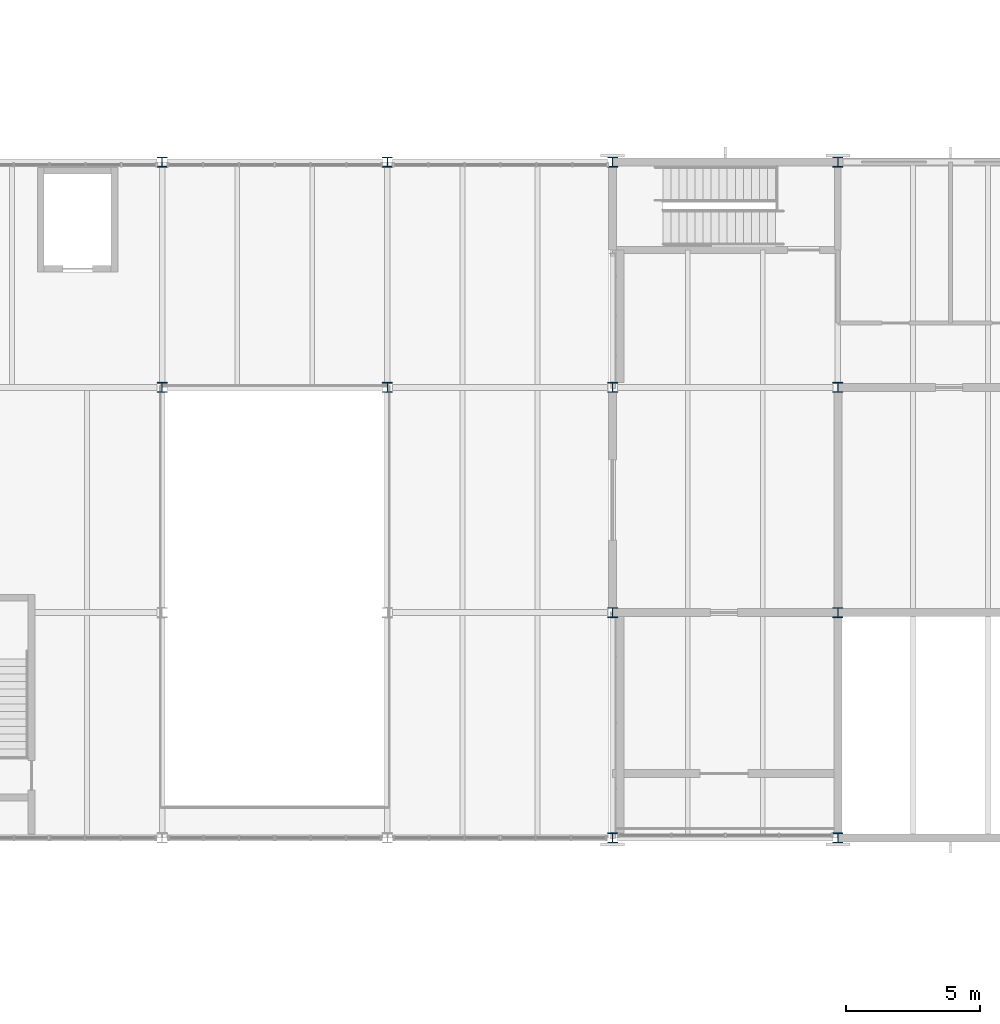
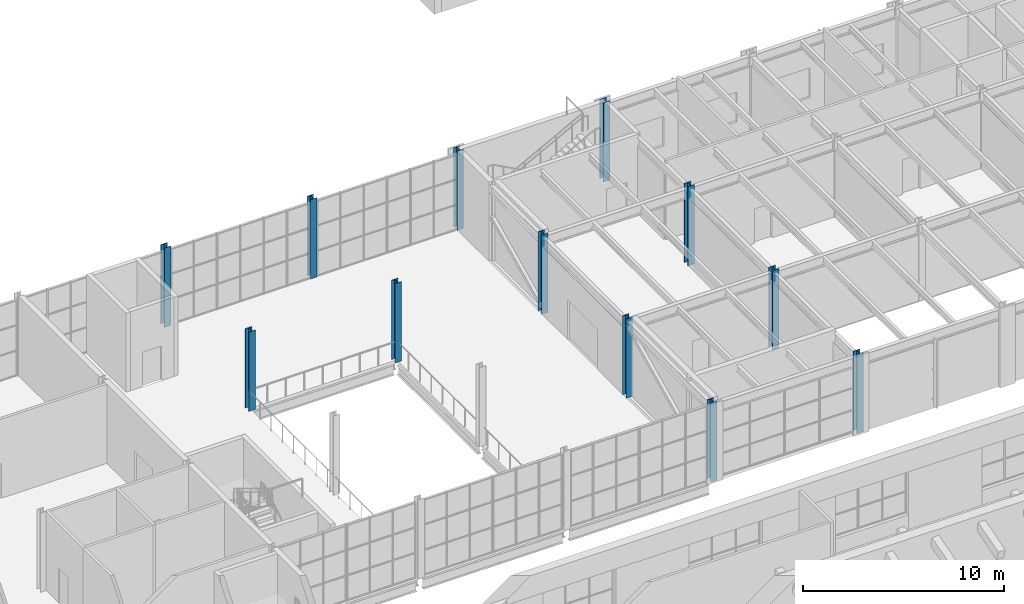
# One storey, part 10 of 127: 12 columns.
"""IFC4 building model written with IfcOpenShell, lengths in metres."""

from ifc_helpers import new_model, si_unit, direction, frame, origin, origin_2d, place, context, subcontext, project, spatial, i_section, extrude, material, material_profile, profile_set, type_object, element, save


model = new_model("IFC4")

# Units and contexts
model_context = context("Model", 3, precision=1e-05, world=origin(), true_north=direction((0.0, 1.0)))
body_context = subcontext(model_context, "Body", "Model", "MODEL_VIEW")
ifc_project = project(units=[si_unit("LENGTHUNIT", "METRE"), si_unit("AREAUNIT", "SQUARE_METRE"), si_unit("VOLUMEUNIT", "CUBIC_METRE"), si_unit("PLANEANGLEUNIT", "RADIAN"), si_unit("MASSUNIT", "GRAM", prefix="KILO")], contexts=[model_context])

# Site, building, storey
site_placement = place(None, origin())
site = spatial("IfcSite", under=ifc_project, at=site_placement, CompositionType="ELEMENT")
building_placement = place(site_placement, origin())
building = spatial("IfcBuilding", under=site, at=building_placement, Name="Ljudholm Concert House", CompositionType="ELEMENT")
storey_placement = place(building_placement, frame((0.0, 0.0, 5.39990234375)))
storey = spatial("IfcBuildingStorey", under=building, at=storey_placement, Name="L01", CompositionType="ELEMENT", Elevation=5.39990234375)

# Columns
ifc_material = material(Name="Steel ASTM A992", Category="steel")
ifc_material_profile = material_profile(ifc_material, i_section(OverallWidth=0.373291015625, OverallDepth=0.373291015625, WebThickness=0.016357421875, FlangeThickness=0.026123046875, FilletRadius=0.01513671875, at=origin_2d()), Name="W14X132")
ifc_profile_set = profile_set([ifc_material_profile], Name="Steel ASTM A992")
column_type = type_object("IfcColumnType", Name="STEEL COLUMN W14X132", PredefinedType="COLUMN", material=ifc_profile_set)
for number, where, z_axis, x_axis, name in (
    (1, (54.39990234375, 104.800048828125, 0.0), (0.0, 0.0, 1.0), (1.0, 0.0, 0.0), "Column STUDIO-L01-col-54.4-104.8"),
    (2, (54.39990234375, 113.199951171875, 0.0), (0.0, 0.0, 1.0), (1.0, 0.0, 0.0), "Column STUDIO-L01-col-54.4-113.2"),
    (3, (54.39990234375, 121.60009765625, 0.0), (0.0, 0.0, 1.0), (1.0, 0.0, 0.0), "Column STUDIO-L01-col-54.4-121.6"),
    (4, (54.39990234375, 130.0, 0.0), (0.0, 0.0, 1.0), (1.0, 0.0, 0.0), "Column STUDIO-L01-col-54.4-130"),
    (5, (62.800048828125, 104.800048828125, 0.0), (0.0, 0.0, 1.0), (1.0, 0.0, 0.0), "Column STUDIO-L01-col-62.8-104.8"),
    (6, (62.800048828125, 113.199951171875, 0.0), (0.0, 0.0, 1.0), (1.0, 0.0, 0.0), "Column STUDIO-L01-col-62.8-113.2"),
    (7, (62.800048828125, 121.60009765625, 0.0), (0.0, 0.0, 1.0), (1.0, 0.0, 0.0), "Column STUDIO-L01-col-62.8-121.6"),
    (8, (62.800048828125, 130.0, 0.0), (0.0, 0.0, 1.0), (1.0, 0.0, 0.0), "Column STUDIO-L01-col-62.8-130"),
    (9, (37.60009765625, 121.60009765625, 0.0), (0.0, 0.0, 1.0), (1.0, 0.0, 0.0), "Column W14X132"),
    (10, (37.60009765625, 130.0, 0.0), (0.0, 0.0, 1.0), (1.0, 0.0, 0.0), "Column W14X132"),
    (11, (46.0, 121.60009765625, 0.0), (0.0, 0.0, 1.0), (1.0, 0.0, 0.0), "Column W14X132"),
    (12, (46.0, 130.0, 0.0), (0.0, 0.0, 1.0), (1.0, 0.0, 0.0), "Column W14X132"),
):
    element("IfcColumn", number, at=place(storey_placement, frame(where, z_axis=z_axis, x_axis=x_axis)), inside=storey, type_object=column_type, Name=name, PredefinedType="COLUMN", context=body_context, shape_type="SweptSolid", body=[
        extrude(i_section(OverallWidth=0.373291015625, OverallDepth=0.373291015625, WebThickness=0.016357421875, FlangeThickness=0.026123046875, FilletRadius=0.01513671875, at=origin_2d()), origin(), (0.0, 0.0, 1.0), 4.800048828125),
    ])

save(model, "model.ifc")
